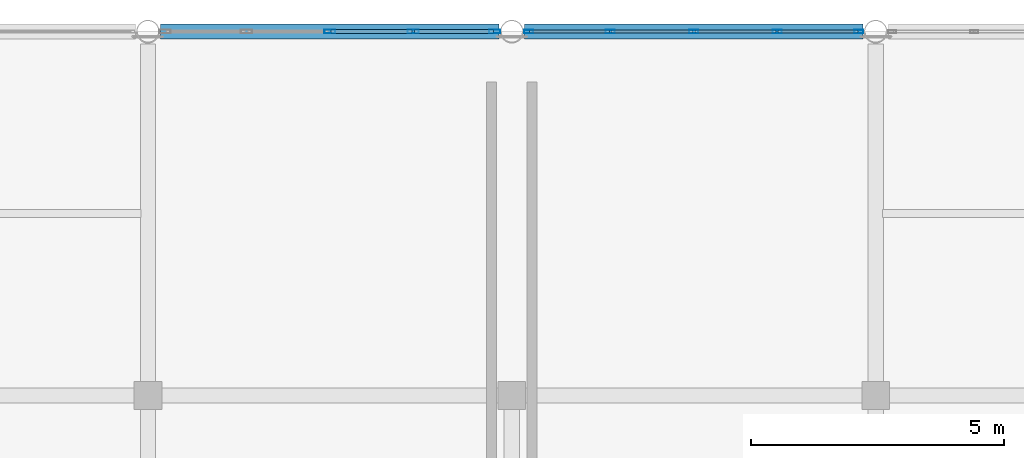
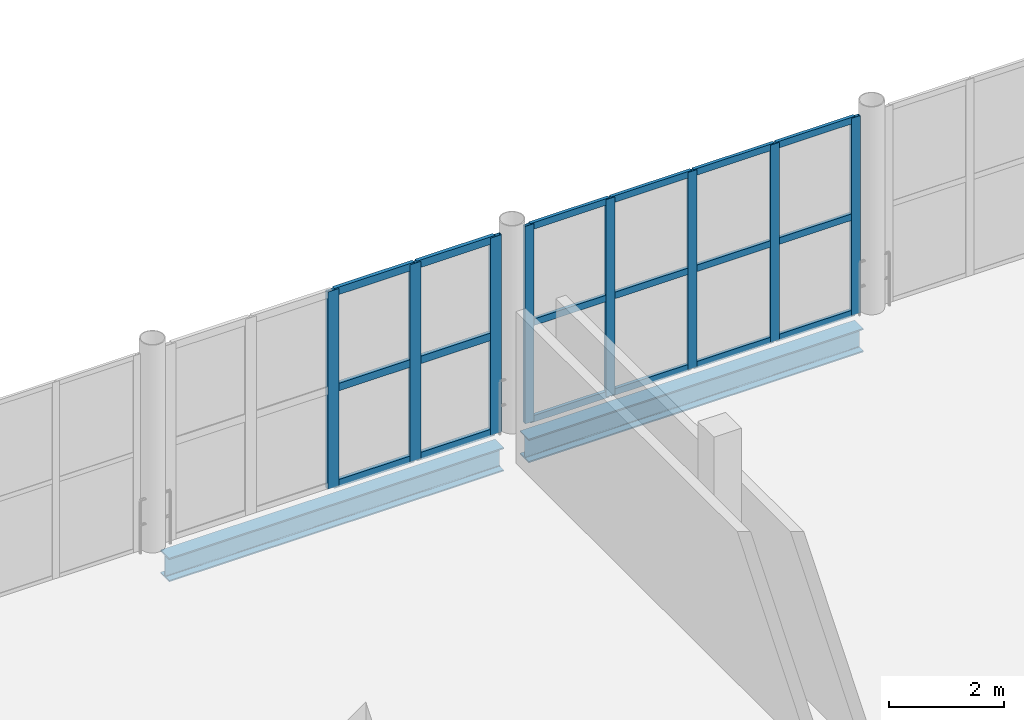
# One storey, part 46 of 81: 26 members, 2 beams, 2 elements without a shape of their own.
"""IFC4 building model written with IfcOpenShell, lengths in metres."""

from ifc_helpers import new_model, si_unit, direction, frame, origin, origin_2d, place, context, subcontext, project, spatial, hollow_rectangle, i_section, extrude, material, material_profile, profile_set, type_object, element, aggregate, save


model = new_model("IFC4")

# Units and contexts
model_context = context("Model", 3, precision=1e-05, world=origin(), true_north=direction((0.0, 1.0)))
body_context = subcontext(model_context, "Body", "Model", "MODEL_VIEW")
ifc_project = project(units=[si_unit("LENGTHUNIT", "METRE"), si_unit("AREAUNIT", "SQUARE_METRE"), si_unit("VOLUMEUNIT", "CUBIC_METRE"), si_unit("PLANEANGLEUNIT", "RADIAN"), si_unit("MASSUNIT", "GRAM", prefix="KILO")], contexts=[model_context])

# Site, building, storey
site_placement = place(None, origin())
site = spatial("IfcSite", under=ifc_project, at=site_placement, CompositionType="ELEMENT")
building_placement = place(site_placement, origin())
building = spatial("IfcBuilding", under=site, at=building_placement, Name="Qandorah Velis Arena", CompositionType="ELEMENT")
storey_placement = place(building_placement, frame((0.0, 0.0, 18.60009765625)))
storey = spatial("IfcBuildingStorey", under=building, at=storey_placement, Name="L04", CompositionType="ELEMENT", Elevation=18.60009765625)

# Curtain wall, members
ifc_material_1 = material(Name="Solar-control low-E double glazing", Category="glass")
curtain_wall_type_1 = type_object("IfcCurtainWallType", Name="ARC-CW-SYS22", PredefinedType="USERDEFINED", material=ifc_material_1)
curtain_wall_1_placement = place(storey_placement, origin())
curtain_wall_1 = element("IfcCurtainWall", 1, at=curtain_wall_1_placement, inside=storey, type_object=curtain_wall_type_1, Name="Unitised curtain wall L04-094", ObjectType="UNITISED CURTAIN WALL", PredefinedType="USERDEFINED")
ifc_material_2 = material(Name="Champagne-bronze anodized aluminium 6063-T6", Category="aluminium")
ifc_material_profile_1 = material_profile(ifc_material_2, hollow_rectangle(XDim=0.06494140625, YDim=0.179931640625, WallThickness=0.00341796875, at=origin_2d()), Name="ALU MULLION 65x180")
ifc_profile_set_1 = profile_set([ifc_material_profile_1], Name="Champagne-bronze anodized aluminium 6063-T6")
member_type_1 = type_object("IfcMemberType", Name="ARC-CWM-180", PredefinedType="MULLION", material=ifc_profile_set_1)
member_1_placement = place(storey_placement, frame((57.9326171875, 129.60009765625, -0.01513671875), z_axis=(0.0, 0.0, 1.0), x_axis=(0.0, 1.0, 0.0)))
member_1 = element("IfcMember", 2, at=member_1_placement, type_object=member_type_1, Name="CW22 mullion 1", PredefinedType="MULLION", context=body_context, shape_type="SweptSolid", body=[
    extrude(hollow_rectangle(XDim=0.06494140625, YDim=0.179931640625, WallThickness=0.00341796875, at=origin_2d()), origin(), (0.0, 0.0, 1.0), 4.179931640625),
])
member_2_placement = place(storey_placement, frame((59.550048828125, 129.60009765625, -0.01513671875), z_axis=(0.0, 0.0, 1.0), x_axis=(0.0, 1.0, 0.0)))
member_2 = element("IfcMember", 3, at=member_2_placement, type_object=member_type_1, Name="CW22 mullion 2", PredefinedType="MULLION", context=body_context, shape_type="SweptSolid", body=[
    extrude(hollow_rectangle(XDim=0.06494140625, YDim=0.179931640625, WallThickness=0.00341796875, at=origin_2d()), origin(), (0.0, 0.0, 1.0), 4.179931640625),
])
member_3_placement = place(storey_placement, frame((61.199951171875, 129.60009765625, -0.01513671875), z_axis=(0.0, 0.0, 1.0), x_axis=(0.0, 1.0, 0.0)))
member_3 = element("IfcMember", 4, at=member_3_placement, type_object=member_type_1, Name="CW22 mullion 3", PredefinedType="MULLION", context=body_context, shape_type="SweptSolid", body=[
    extrude(hollow_rectangle(XDim=0.06494140625, YDim=0.179931640625, WallThickness=0.00341796875, at=origin_2d()), origin(), (0.0, 0.0, 1.0), 4.179931640625),
])
member_4_placement = place(storey_placement, frame((62.85009765625, 129.60009765625, -0.01513671875), z_axis=(0.0, 0.0, 1.0), x_axis=(0.0, 1.0, 0.0)))
member_4 = element("IfcMember", 5, at=member_4_placement, type_object=member_type_1, Name="CW22 mullion 4", PredefinedType="MULLION", context=body_context, shape_type="SweptSolid", body=[
    extrude(hollow_rectangle(XDim=0.06494140625, YDim=0.179931640625, WallThickness=0.00341796875, at=origin_2d()), origin(), (0.0, 0.0, 1.0), 4.179931640625),
])
member_5_placement = place(storey_placement, frame((64.467529296875, 129.60009765625, -0.01513671875), z_axis=(0.0, 0.0, 1.0), x_axis=(0.0, 1.0, 0.0)))
member_5 = element("IfcMember", 6, at=member_5_placement, type_object=member_type_1, Name="CW22 mullion 5", PredefinedType="MULLION", context=body_context, shape_type="SweptSolid", body=[
    extrude(hollow_rectangle(XDim=0.06494140625, YDim=0.179931640625, WallThickness=0.00341796875, at=origin_2d()), origin(), (0.0, 0.0, 1.0), 4.179931640625),
])

curtain_wall_type_2 = type_object("IfcCurtainWallType", Name="ARC-CW-SYS21", PredefinedType="USERDEFINED", material=ifc_material_1)
curtain_wall_2_placement = place(storey_placement, origin())
curtain_wall_2 = element("IfcCurtainWall", 7, at=curtain_wall_2_placement, inside=storey, type_object=curtain_wall_type_2, Name="Unitised curtain wall L04-093", ObjectType="UNITISED CURTAIN WALL", PredefinedType="USERDEFINED")
ifc_material_profile_2 = material_profile(ifc_material_2, hollow_rectangle(XDim=0.074951171875, YDim=0.219970703125, WallThickness=0.00390625, at=origin_2d()), Name="ALU MULLION 75x220")
ifc_profile_set_2 = profile_set([ifc_material_profile_2], Name="Champagne-bronze anodized aluminium 6063-T6")
member_type_2 = type_object("IfcMemberType", Name="ARC-CWM-220", PredefinedType="MULLION", material=ifc_profile_set_2)
member_6_placement = place(storey_placement, frame((54.0, 129.60009765625, -0.01513671875), z_axis=(0.0, 0.0, 1.0), x_axis=(0.0, 1.0, 0.0)))
member_6 = element("IfcMember", 8, at=member_6_placement, type_object=member_type_2, Name="CW21 mullion 3", PredefinedType="MULLION", context=body_context, shape_type="SweptSolid", body=[
    extrude(hollow_rectangle(XDim=0.074951171875, YDim=0.219970703125, WallThickness=0.00390625, at=origin_2d()), origin(), (0.0, 0.0, 1.0), 4.179931640625),
])
member_7_placement = place(storey_placement, frame((55.64990234375, 129.60009765625, -0.01513671875), z_axis=(0.0, 0.0, 1.0), x_axis=(0.0, 1.0, 0.0)))
member_7 = element("IfcMember", 9, at=member_7_placement, type_object=member_type_2, Name="CW21 mullion 4", PredefinedType="MULLION", context=body_context, shape_type="SweptSolid", body=[
    extrude(hollow_rectangle(XDim=0.074951171875, YDim=0.219970703125, WallThickness=0.00390625, at=origin_2d()), origin(), (0.0, 0.0, 1.0), 4.179931640625),
])
member_8_placement = place(storey_placement, frame((57.262451171875, 129.60009765625, -0.01513671875), z_axis=(0.0, 0.0, 1.0), x_axis=(0.0, 1.0, 0.0)))
member_8 = element("IfcMember", 10, at=member_8_placement, type_object=member_type_2, Name="CW21 mullion 5", PredefinedType="MULLION", context=body_context, shape_type="SweptSolid", body=[
    extrude(hollow_rectangle(XDim=0.074951171875, YDim=0.219970703125, WallThickness=0.00390625, at=origin_2d()), origin(), (0.0, 0.0, 1.0), 4.179931640625),
])

# Member
ifc_material_profile_3 = material_profile(ifc_material_2, hollow_rectangle(XDim=0.06494140625, YDim=0.139892578125, WallThickness=0.0029296875, at=origin_2d()), Name="ALU TRANSOM 65x140")
ifc_profile_set_3 = profile_set([ifc_material_profile_3], Name="Champagne-bronze anodized aluminium 6063-T6")
member_type_3 = type_object("IfcMemberType", Name="ARC-CWT-140", PredefinedType="USERDEFINED", material=ifc_profile_set_3)
member_9_placement = place(storey_placement, frame((57.952880859375, 129.60009765625, 0.032470703125), z_axis=(1.0, 0.0, 0.0), x_axis=(0.0, 1.0, 0.0)))
member_9 = element("IfcMember", 11, at=member_9_placement, type_object=member_type_3, Name="CW22 transom 1.1", ObjectType="TRANSOM", PredefinedType="USERDEFINED", context=body_context, shape_type="SweptSolid", body=[
    extrude(hollow_rectangle(XDim=0.06494140625, YDim=0.139892578125, WallThickness=0.0029296875, at=origin_2d()), origin(), (0.0, 0.0, 1.0), 1.57666015625),
])

member_10_placement = place(storey_placement, frame((57.952880859375, 129.60009765625, 2.074951171875), z_axis=(1.0, 0.0, 0.0), x_axis=(0.0, 1.0, 0.0)))
member_10 = element("IfcMember", 12, at=member_10_placement, type_object=member_type_3, Name="CW22 transom 1.2", ObjectType="TRANSOM", PredefinedType="USERDEFINED", context=body_context, shape_type="SweptSolid", body=[
    extrude(hollow_rectangle(XDim=0.06494140625, YDim=0.139892578125, WallThickness=0.0029296875, at=origin_2d()), origin(), (0.0, 0.0, 1.0), 1.57666015625),
])

member_11_placement = place(storey_placement, frame((57.952880859375, 129.60009765625, 4.117431640625), z_axis=(1.0, 0.0, 0.0), x_axis=(0.0, 1.0, 0.0)))
member_11 = element("IfcMember", 13, at=member_11_placement, type_object=member_type_3, Name="CW22 transom 1.3", ObjectType="TRANSOM", PredefinedType="USERDEFINED", context=body_context, shape_type="SweptSolid", body=[
    extrude(hollow_rectangle(XDim=0.06494140625, YDim=0.139892578125, WallThickness=0.0029296875, at=origin_2d()), origin(), (0.0, 0.0, 1.0), 1.57666015625),
])

member_12_placement = place(storey_placement, frame((59.570556640625, 129.60009765625, 0.032470703125), z_axis=(1.0, 0.0, 0.0), x_axis=(0.0, 1.0, 0.0)))
member_12 = element("IfcMember", 14, at=member_12_placement, type_object=member_type_3, Name="CW22 transom 2.1", ObjectType="TRANSOM", PredefinedType="USERDEFINED", context=body_context, shape_type="SweptSolid", body=[
    extrude(hollow_rectangle(XDim=0.06494140625, YDim=0.139892578125, WallThickness=0.0029296875, at=origin_2d()), origin(), (0.0, 0.0, 1.0), 1.60888671875),
])

member_13_placement = place(storey_placement, frame((59.570556640625, 129.60009765625, 2.074951171875), z_axis=(1.0, 0.0, 0.0), x_axis=(0.0, 1.0, 0.0)))
member_13 = element("IfcMember", 15, at=member_13_placement, type_object=member_type_3, Name="CW22 transom 2.2", ObjectType="TRANSOM", PredefinedType="USERDEFINED", context=body_context, shape_type="SweptSolid", body=[
    extrude(hollow_rectangle(XDim=0.06494140625, YDim=0.139892578125, WallThickness=0.0029296875, at=origin_2d()), origin(), (0.0, 0.0, 1.0), 1.60888671875),
])

member_14_placement = place(storey_placement, frame((59.570556640625, 129.60009765625, 4.117431640625), z_axis=(1.0, 0.0, 0.0), x_axis=(0.0, 1.0, 0.0)))
member_14 = element("IfcMember", 16, at=member_14_placement, type_object=member_type_3, Name="CW22 transom 2.3", ObjectType="TRANSOM", PredefinedType="USERDEFINED", context=body_context, shape_type="SweptSolid", body=[
    extrude(hollow_rectangle(XDim=0.06494140625, YDim=0.139892578125, WallThickness=0.0029296875, at=origin_2d()), origin(), (0.0, 0.0, 1.0), 1.60888671875),
])

member_15_placement = place(storey_placement, frame((61.220458984375, 129.60009765625, 0.032470703125), z_axis=(1.0, 0.0, 0.0), x_axis=(0.0, 1.0, 0.0)))
member_15 = element("IfcMember", 17, at=member_15_placement, type_object=member_type_3, Name="CW22 transom 3.1", ObjectType="TRANSOM", PredefinedType="USERDEFINED", context=body_context, shape_type="SweptSolid", body=[
    extrude(hollow_rectangle(XDim=0.06494140625, YDim=0.139892578125, WallThickness=0.0029296875, at=origin_2d()), origin(), (0.0, 0.0, 1.0), 1.609130859375),
])

member_16_placement = place(storey_placement, frame((61.220458984375, 129.60009765625, 2.074951171875), z_axis=(1.0, 0.0, 0.0), x_axis=(0.0, 1.0, 0.0)))
member_16 = element("IfcMember", 18, at=member_16_placement, type_object=member_type_3, Name="CW22 transom 3.2", ObjectType="TRANSOM", PredefinedType="USERDEFINED", context=body_context, shape_type="SweptSolid", body=[
    extrude(hollow_rectangle(XDim=0.06494140625, YDim=0.139892578125, WallThickness=0.0029296875, at=origin_2d()), origin(), (0.0, 0.0, 1.0), 1.609130859375),
])

member_17_placement = place(storey_placement, frame((61.220458984375, 129.60009765625, 4.117431640625), z_axis=(1.0, 0.0, 0.0), x_axis=(0.0, 1.0, 0.0)))
member_17 = element("IfcMember", 19, at=member_17_placement, type_object=member_type_3, Name="CW22 transom 3.3", ObjectType="TRANSOM", PredefinedType="USERDEFINED", context=body_context, shape_type="SweptSolid", body=[
    extrude(hollow_rectangle(XDim=0.06494140625, YDim=0.139892578125, WallThickness=0.0029296875, at=origin_2d()), origin(), (0.0, 0.0, 1.0), 1.609130859375),
])

member_18_placement = place(storey_placement, frame((62.87060546875, 129.60009765625, 0.032470703125), z_axis=(1.0, 0.0, 0.0), x_axis=(0.0, 1.0, 0.0)))
member_18 = element("IfcMember", 20, at=member_18_placement, type_object=member_type_3, Name="CW22 transom 4.1", ObjectType="TRANSOM", PredefinedType="USERDEFINED", context=body_context, shape_type="SweptSolid", body=[
    extrude(hollow_rectangle(XDim=0.06494140625, YDim=0.139892578125, WallThickness=0.0029296875, at=origin_2d()), origin(), (0.0, 0.0, 1.0), 1.576416015625),
])

member_19_placement = place(storey_placement, frame((62.87060546875, 129.60009765625, 2.074951171875), z_axis=(1.0, 0.0, 0.0), x_axis=(0.0, 1.0, 0.0)))
member_19 = element("IfcMember", 21, at=member_19_placement, type_object=member_type_3, Name="CW22 transom 4.2", ObjectType="TRANSOM", PredefinedType="USERDEFINED", context=body_context, shape_type="SweptSolid", body=[
    extrude(hollow_rectangle(XDim=0.06494140625, YDim=0.139892578125, WallThickness=0.0029296875, at=origin_2d()), origin(), (0.0, 0.0, 1.0), 1.576416015625),
])

member_20_placement = place(storey_placement, frame((62.87060546875, 129.60009765625, 4.117431640625), z_axis=(1.0, 0.0, 0.0), x_axis=(0.0, 1.0, 0.0)))
member_20 = element("IfcMember", 22, at=member_20_placement, type_object=member_type_3, Name="CW22 transom 4.3", ObjectType="TRANSOM", PredefinedType="USERDEFINED", context=body_context, shape_type="SweptSolid", body=[
    extrude(hollow_rectangle(XDim=0.06494140625, YDim=0.139892578125, WallThickness=0.0029296875, at=origin_2d()), origin(), (0.0, 0.0, 1.0), 1.576416015625),
])

aggregate(curtain_wall_1, [member_1, member_2, member_3, member_4, member_5, member_9, member_10, member_11, member_12, member_13, member_14, member_15, member_16, member_17, member_18, member_19, member_20])

ifc_material_profile_4 = material_profile(ifc_material_2, hollow_rectangle(XDim=0.074951171875, YDim=0.159912109375, WallThickness=0.00341796875, at=origin_2d()), Name="ALU TRANSOM 75x160")
ifc_profile_set_4 = profile_set([ifc_material_profile_4], Name="Champagne-bronze anodized aluminium 6063-T6")
member_type_4 = type_object("IfcMemberType", Name="ARC-CWT-160", PredefinedType="USERDEFINED", material=ifc_profile_set_4)
member_21_placement = place(storey_placement, frame((54.025390625, 129.60009765625, 0.037353515625), z_axis=(1.0, 0.0, 0.0), x_axis=(0.0, 1.0, 0.0)))
member_21 = element("IfcMember", 23, at=member_21_placement, type_object=member_type_4, Name="CW21 transom 3.1", ObjectType="TRANSOM", PredefinedType="USERDEFINED", context=body_context, shape_type="SweptSolid", body=[
    extrude(hollow_rectangle(XDim=0.074951171875, YDim=0.159912109375, WallThickness=0.00341796875, at=origin_2d()), origin(), (0.0, 0.0, 1.0), 1.59912109375),
])

member_22_placement = place(storey_placement, frame((54.025390625, 129.60009765625, 2.074951171875), z_axis=(1.0, 0.0, 0.0), x_axis=(0.0, 1.0, 0.0)))
member_22 = element("IfcMember", 24, at=member_22_placement, type_object=member_type_4, Name="CW21 transom 3.2", ObjectType="TRANSOM", PredefinedType="USERDEFINED", context=body_context, shape_type="SweptSolid", body=[
    extrude(hollow_rectangle(XDim=0.074951171875, YDim=0.159912109375, WallThickness=0.00341796875, at=origin_2d()), origin(), (0.0, 0.0, 1.0), 1.59912109375),
])

member_23_placement = place(storey_placement, frame((54.025390625, 129.60009765625, 4.1123046875), z_axis=(1.0, 0.0, 0.0), x_axis=(0.0, 1.0, 0.0)))
member_23 = element("IfcMember", 25, at=member_23_placement, type_object=member_type_4, Name="CW21 transom 3.3", ObjectType="TRANSOM", PredefinedType="USERDEFINED", context=body_context, shape_type="SweptSolid", body=[
    extrude(hollow_rectangle(XDim=0.074951171875, YDim=0.159912109375, WallThickness=0.00341796875, at=origin_2d()), origin(), (0.0, 0.0, 1.0), 1.59912109375),
])

member_24_placement = place(storey_placement, frame((55.675537109375, 129.60009765625, 0.037353515625), z_axis=(1.0, 0.0, 0.0), x_axis=(0.0, 1.0, 0.0)))
member_24 = element("IfcMember", 26, at=member_24_placement, type_object=member_type_4, Name="CW21 transom 4.1", ObjectType="TRANSOM", PredefinedType="USERDEFINED", context=body_context, shape_type="SweptSolid", body=[
    extrude(hollow_rectangle(XDim=0.074951171875, YDim=0.159912109375, WallThickness=0.00341796875, at=origin_2d()), origin(), (0.0, 0.0, 1.0), 1.5615234375),
])

member_25_placement = place(storey_placement, frame((55.675537109375, 129.60009765625, 2.074951171875), z_axis=(1.0, 0.0, 0.0), x_axis=(0.0, 1.0, 0.0)))
member_25 = element("IfcMember", 27, at=member_25_placement, type_object=member_type_4, Name="CW21 transom 4.2", ObjectType="TRANSOM", PredefinedType="USERDEFINED", context=body_context, shape_type="SweptSolid", body=[
    extrude(hollow_rectangle(XDim=0.074951171875, YDim=0.159912109375, WallThickness=0.00341796875, at=origin_2d()), origin(), (0.0, 0.0, 1.0), 1.5615234375),
])

member_26_placement = place(storey_placement, frame((55.675537109375, 129.60009765625, 4.1123046875), z_axis=(1.0, 0.0, 0.0), x_axis=(0.0, 1.0, 0.0)))
member_26 = element("IfcMember", 28, at=member_26_placement, type_object=member_type_4, Name="CW21 transom 4.3", ObjectType="TRANSOM", PredefinedType="USERDEFINED", context=body_context, shape_type="SweptSolid", body=[
    extrude(hollow_rectangle(XDim=0.074951171875, YDim=0.159912109375, WallThickness=0.00341796875, at=origin_2d()), origin(), (0.0, 0.0, 1.0), 1.5615234375),
])

aggregate(curtain_wall_2, [member_6, member_7, member_8, member_21, member_22, member_23, member_24, member_25, member_26])

# Beams
ifc_material_3 = material(Name="Steel S355", Category="steel")
ifc_material_profile_5 = material_profile(ifc_material_3, i_section(OverallWidth=0.300048828125, OverallDepth=0.5, WebThickness=0.014404296875, FlangeThickness=0.028076171875, FilletRadius=0.027099609375, at=origin_2d()), Name="HEB 500")
ifc_profile_set_5 = profile_set([ifc_material_profile_5], Name="Steel S355")
beam_type = type_object("IfcBeamType", Name="STR-BM-HEB500", PredefinedType="BEAM", material=ifc_profile_set_5)
beam_1_placement = place(storey_placement, frame((50.64990234375, 129.60009765625, -0.52001953125), z_axis=(1.0, 0.0, 0.0), x_axis=(0.0, 1.0, 0.0)))
element("IfcBeam", 29, at=beam_1_placement, inside=storey, type_object=beam_type, Name="Primary floor girder L04 X-137", PredefinedType="BEAM", context=body_context, shape_type="SweptSolid", body=[
    extrude(i_section(OverallWidth=0.300048828125, OverallDepth=0.5, WebThickness=0.014404296875, FlangeThickness=0.028076171875, FilletRadius=0.027099609375, at=origin_2d()), origin(), (0.0, 0.0, 1.0), 6.7001953125),
])
beam_2_placement = place(storey_placement, frame((57.85009765625, 129.60009765625, -0.52001953125), z_axis=(1.0, 0.0, 0.0), x_axis=(0.0, 1.0, 0.0)))
element("IfcBeam", 30, at=beam_2_placement, inside=storey, type_object=beam_type, Name="Primary floor girder L04 X-138", PredefinedType="BEAM", context=body_context, shape_type="SweptSolid", body=[
    extrude(i_section(OverallWidth=0.300048828125, OverallDepth=0.5, WebThickness=0.014404296875, FlangeThickness=0.028076171875, FilletRadius=0.027099609375, at=origin_2d()), origin(), (0.0, 0.0, 1.0), 6.699951171875),
])

save(model, "model.ifc")
